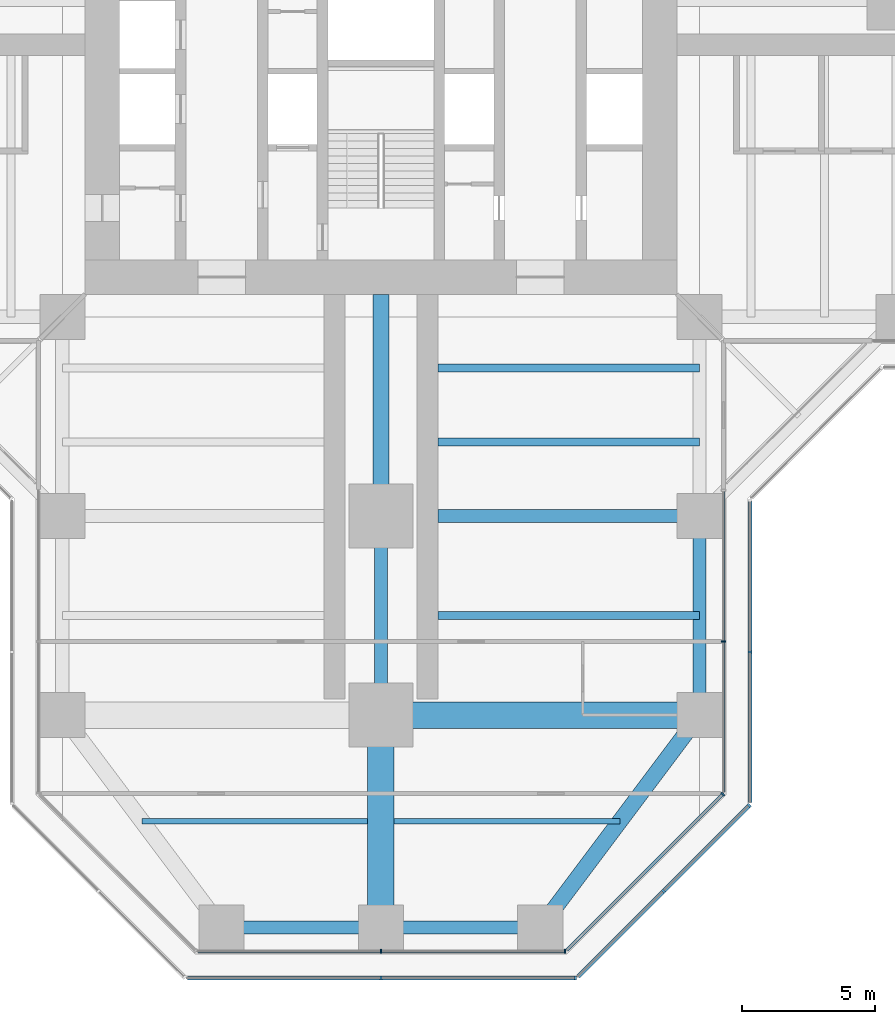
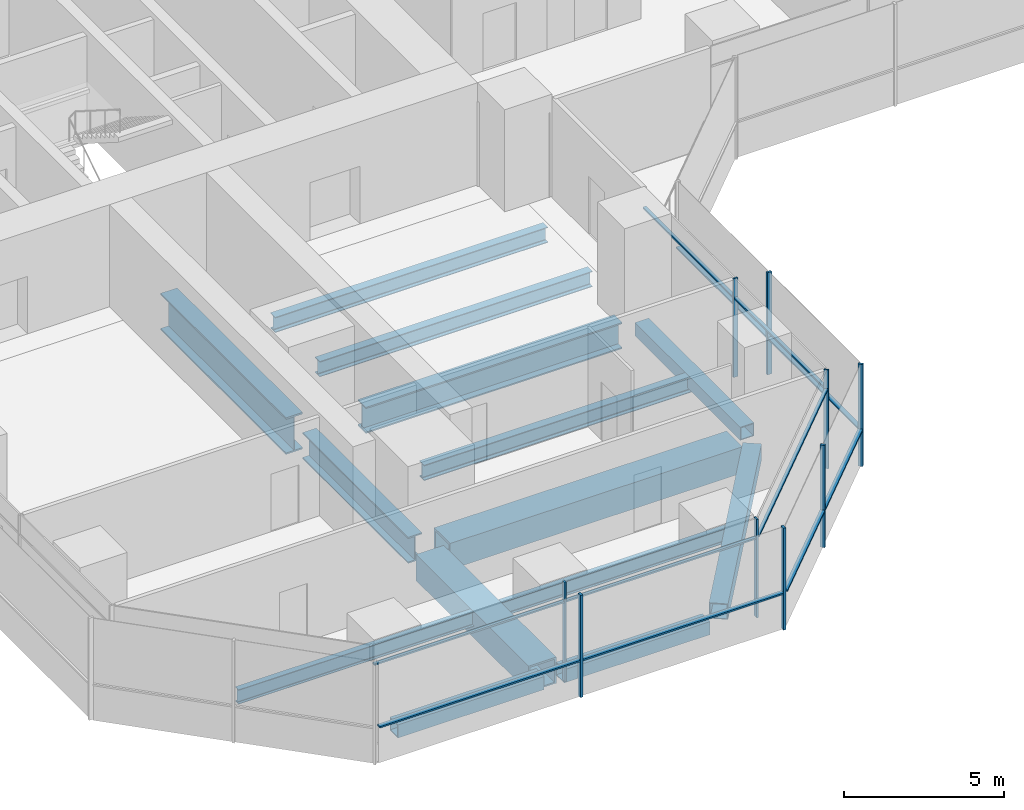
# One storey, part 5 of 22: 20 members, 14 beams, 6 elements without a shape of their own.
"""IFC4 building model written with IfcOpenShell, lengths in metres."""

import ifcopenshell
import ifcopenshell.guid

model = None  # the IFC model being written
_history = None  # IfcOwnerHistory: only IFC2X3 demands one
_inside = {}  # id of a spatial element -> (the spatial element, [elements in it])
_under = {}  # id of a project, library or spatial element -> (it, [spatial elements below it])
_declared = {}  # id of a project -> (the project, [libraries it declares])
_typed = {}  # id of a type object -> (the type object, [elements of that type])
_made_of = {}  # id of a material, layer set ... -> (it, [elements and type objects made of it])


def new_model(schema):
    """Start an empty IFC model of exactly this schema.

    Asked for "IFC4X3", IfcOpenShell would pick the latest addendum, in which some entities
    have other attributes; the version numbers below select the first issue.
    IFC2X3 requires an IfcOwnerHistory on every rooted entity: one is made here for all.
    """
    global model, _history
    if schema == "IFC4X3":
        model = ifcopenshell.file(schema_version=(4, 3, 0, 0))
    else:
        model = ifcopenshell.file(schema=schema)
    _inside.clear()
    _under.clear()
    _declared.clear()
    _typed.clear()
    _made_of.clear()
    _history = None
    if model.schema == "IFC2X3":
        org = make("IfcOrganization", Name="unknown")
        user = make(
            "IfcPersonAndOrganization",
            ThePerson=make("IfcPerson", FamilyName="unknown"),
            TheOrganization=org,
        )
        app = make(
            "IfcApplication",
            ApplicationDeveloper=org,
            Version="unknown",
            ApplicationFullName="unknown",
            ApplicationIdentifier="unknown",
        )
        _history = make(
            "IfcOwnerHistory",
            OwningUser=user,
            OwningApplication=app,
            ChangeAction="ADDED",
            CreationDate=0,
        )
    return model


def make(cls, **values):
    """One entity of the class cls with the attributes given. An attribute that is None is left unset."""
    return model.create_entity(
        cls, **{name: value for name, value in values.items() if value is not None}
    )


def rooted(cls, **values):
    """An entity with a GlobalId (a new one), such as an element, a storey or a relation."""
    return make(cls, GlobalId=ifcopenshell.guid.new(), OwnerHistory=_history, **values)


def si_unit(unit_type, name, prefix=None):
    """IfcSIUnit, for example si_unit("LENGTHUNIT", "METRE", prefix="MILLI")."""
    return make("IfcSIUnit", UnitType=unit_type, Prefix=prefix, Name=name)


def assignment(units):
    """IfcUnitAssignment: the units of a project."""
    return None if units is None else make("IfcUnitAssignment", Units=units)


def point(xyz):
    """IfcCartesianPoint."""
    return None if xyz is None else make("IfcCartesianPoint", Coordinates=xyz)


def direction(xyz):
    """IfcDirection."""
    return None if xyz is None else make("IfcDirection", DirectionRatios=xyz)


def frame(location, z_axis=None, x_axis=None):
    """IfcAxis2Placement3D, a coordinate frame: its origin and axes. An axis left out is left unset."""
    return make(
        "IfcAxis2Placement3D",
        Location=point(location),
        Axis=direction(z_axis),
        RefDirection=direction(x_axis),
    )


def frame_2d(location, x_axis=None):
    """IfcAxis2Placement2D, a coordinate frame in the plane: its origin and x axis."""
    return make(
        "IfcAxis2Placement2D", Location=point(location), RefDirection=direction(x_axis)
    )


def origin():
    """The frame at (0, 0, 0) with its axes left unset."""
    return frame((0.0, 0.0, 0.0))


def origin_2d():
    """The frame at (0, 0) in the plane with its x axis left unset."""
    return frame_2d((0.0, 0.0))


def place(relative_to, where):
    """IfcLocalPlacement: puts the frame where relative to a parent placement (None: the world)."""
    return make(
        "IfcLocalPlacement", PlacementRelTo=relative_to, RelativePlacement=where
    )


def context(
    kind, dimensions, precision=None, world=None, true_north=None, identifier=None
):
    """IfcGeometricRepresentationContext, for example the 3D "Model" context."""
    return make(
        "IfcGeometricRepresentationContext",
        ContextIdentifier=identifier,
        ContextType=kind,
        CoordinateSpaceDimension=dimensions,
        Precision=precision,
        WorldCoordinateSystem=world,
        TrueNorth=true_north,
    )


def subcontext(parent, identifier, kind, view, scale=None):
    """IfcGeometricRepresentationSubContext, for example "Body" below "Model"."""
    return make(
        "IfcGeometricRepresentationSubContext",
        ContextIdentifier=identifier,
        ContextType=kind,
        ParentContext=parent,
        TargetScale=scale,
        TargetView=view,
    )


def project(units=None, contexts=None):
    """IfcProject with its units and contexts."""
    return rooted(
        "IfcProject",
        Name="project",
        RepresentationContexts=contexts,
        UnitsInContext=assignment(units),
    )


def spatial(cls, under=None, at=None, **own):
    """A site, building, storey or space (cls), placed at a placement, below another one or the project."""
    s = rooted(cls, ObjectPlacement=at, **own)
    if under is not None:
        _under.setdefault(under.id(), (under, []))[1].append(s)
    return s


def profile(cls, at=None, kind="AREA", **sizes):
    """A parametric profile (cls). Its sizes go by their IFC names, for example OverallWidth=200.0."""
    return make(cls, ProfileType=kind, Position=at, **sizes)


def rectangle(**sizes):
    """IfcRectangleProfileDef."""
    return profile("IfcRectangleProfileDef", **sizes)


def hollow_rectangle(**sizes):
    """IfcRectangleHollowProfileDef."""
    return profile("IfcRectangleHollowProfileDef", **sizes)


def i_section(**sizes):
    """IfcIShapeProfileDef."""
    return profile("IfcIShapeProfileDef", **sizes)


def extrude(swept, where, along, depth):
    """IfcExtrudedAreaSolid: the profile swept, set in the frame where, extruded along a direction by depth."""
    return make(
        "IfcExtrudedAreaSolid",
        SweptArea=swept,
        Position=where,
        ExtrudedDirection=direction(along),
        Depth=depth,
    )


def shape(context_of_items, identifier, shape_type, items):
    """IfcShapeRepresentation: the items that make up one representation, for example the "Body"."""
    return make(
        "IfcShapeRepresentation",
        ContextOfItems=context_of_items,
        RepresentationIdentifier=identifier,
        RepresentationType=shape_type,
        Items=items,
    )


def material(Name=None, Category=None):
    """IfcMaterial."""
    return make("IfcMaterial", Name=Name, Category=Category)


def material_profile(
    of_material, cross_section, Name=None, Category=None, Priority=None
):
    """IfcMaterialProfile: a cross section and its material."""
    return make(
        "IfcMaterialProfile",
        Name=Name,
        Material=of_material,
        Profile=cross_section,
        Priority=Priority,
        Category=Category,
    )


def profile_set(profiles, Name=None, composite=None):
    """IfcMaterialProfileSet."""
    return make(
        "IfcMaterialProfileSet",
        Name=Name,
        MaterialProfiles=profiles,
        CompositeProfile=composite,
    )


def made_of(thing, what):
    """Note that an element or type object is made of a material, layer set ...; save() writes the relation."""
    if what is not None:
        _made_of.setdefault(what.id(), (what, []))[1].append(thing)
    return thing


def type_object(cls, material=None, **own):
    """A type object (cls), such as IfcWallType, which elements share."""
    return made_of(rooted(cls, **own), material)


def element(
    cls,
    number,
    at=None,
    inside=None,
    cuts=None,
    type_object=None,
    material=None,
    context=None,
    identifier="Body",
    shape_type=None,
    held_by="IfcProductDefinitionShape",
    body=None,
    shapes=None,
    **own,
):
    """One element of the class cls, such as IfcWall. Its Tag is "e" and its number.

    at: its placement. inside: the storey or other place that contains it. cuts: it is an
    opening in that element (IfcRelVoidsElement). A single representation is given by context,
    identifier, shape_type and body (its items); several are given by shapes. held_by: the class
    of the entity that holds the representations. save() writes the other relations.
    """
    e = rooted(cls, Tag="e%d" % number, ObjectPlacement=at, **own)
    if body is not None:
        shapes = [shape(context, identifier, shape_type, body)]
    if shapes is not None:
        e.Representation = make(held_by, Representations=shapes)
    if inside is not None:
        _inside.setdefault(inside.id(), (inside, []))[1].append(e)
    if cuts is not None:
        rooted(
            "IfcRelVoidsElement", RelatingBuildingElement=cuts, RelatedOpeningElement=e
        )
    if type_object is not None:
        _typed.setdefault(type_object.id(), (type_object, []))[1].append(e)
    return made_of(e, material)


def aggregate(whole, parts):
    """IfcRelAggregates: a whole, such as a stair, and the parts it consists of."""
    return rooted("IfcRelAggregates", RelatingObject=whole, RelatedObjects=parts)


def save(model, path):
    """Write the relations noted so far, then the file.

    IfcRelAggregates (storeys below a building ...), IfcRelContainedInSpatialStructure (elements
    in a storey), IfcRelDefinesByType, IfcRelAssociatesMaterial and IfcRelDeclares: one each for
    every whole, place, type object, material and project.
    """
    for whole, parts in _under.values():
        aggregate(whole, parts)
    for where, things in _inside.values():
        rooted(
            "IfcRelContainedInSpatialStructure",
            RelatedElements=things,
            RelatingStructure=where,
        )
    for kind, things in _typed.values():
        rooted("IfcRelDefinesByType", RelatedObjects=things, RelatingType=kind)
    for what, things in _made_of.values():
        rooted("IfcRelAssociatesMaterial", RelatedObjects=things, RelatingMaterial=what)
    for by, libraries in _declared.values():
        rooted("IfcRelDeclares", RelatingContext=by, RelatedDefinitions=libraries)
    model.write(path)


model = new_model("IFC4")

# Units and contexts
model_context = context("Model", 3, precision=1e-05, world=origin(), true_north=direction((0.0, 1.0)))
body_context = subcontext(model_context, "Body", "Model", "MODEL_VIEW")
ifc_project = project(units=[si_unit("LENGTHUNIT", "METRE"), si_unit("AREAUNIT", "SQUARE_METRE"), si_unit("VOLUMEUNIT", "CUBIC_METRE"), si_unit("PLANEANGLEUNIT", "RADIAN"), si_unit("MASSUNIT", "GRAM", prefix="KILO")], contexts=[model_context])

# Site, building, storey
site_placement = place(None, origin())
site = spatial("IfcSite", under=ifc_project, at=site_placement, CompositionType="ELEMENT")
building_placement = place(site_placement, origin())
building = spatial("IfcBuilding", under=site, at=building_placement, Name="Mizan Broadcast Tower", CompositionType="ELEMENT")
storey_placement = place(building_placement, frame((0.0, 0.0, 63.0)))
storey = spatial("IfcBuildingStorey", under=building, at=storey_placement, Name="L12", CompositionType="ELEMENT", Elevation=63.0)

# Beams
ifc_material_1 = material(Name="Steel S355", Category="steel")
ifc_material_profile_1 = material_profile(ifc_material_1, hollow_rectangle(XDim=0.5, YDim=0.5, WallThickness=0.030029296875, at=origin_2d()), Name="BOX 500x500x30")
ifc_profile_set_1 = profile_set([ifc_material_profile_1], Name="Steel S355")
beam_type_1 = type_object("IfcBeamType", Name="EDGE BEAM BOX 500x500x30", PredefinedType="SPANDREL", material=ifc_profile_set_1)
beam_1_placement = place(storey_placement, frame((-5.639892578125, -35.0, -0.3798828125), z_axis=(1.0, 0.0, 0.0), x_axis=(0.0, 1.0, 0.0)))
element("IfcBeam", 1, at=beam_1_placement, inside=storey, type_object=beam_type_1, Name="Edge beam BOX 500x500x30 L12 south arm", PredefinedType="SPANDREL", context=body_context, shape_type="SweptSolid", body=[
    extrude(hollow_rectangle(XDim=0.5, YDim=0.5, WallThickness=0.030029296875, at=origin_2d()), origin(), (0.0, 0.0, 1.0), 5.27978515625),
])
beam_2_placement = place(storey_placement, frame((12.0, -19.949951171875, -0.3798828125), z_axis=(0.0, -1.0, 0.0), x_axis=(1.0, 0.0, 0.0)))
element("IfcBeam", 2, at=beam_2_placement, inside=storey, type_object=beam_type_1, Name="Edge beam BOX 500x500x30 L12 south arm", PredefinedType="SPANDREL", context=body_context, shape_type="SweptSolid", body=[
    extrude(hollow_rectangle(XDim=0.5, YDim=0.5, WallThickness=0.030029296875, at=origin_2d()), origin(), (0.0, 0.0, 1.0), 6.60009765625),
])
beam_3_placement = place(storey_placement, frame((5.639892578125, -35.0, -0.3798828125), z_axis=(-1.0, 0.0, 0.0), x_axis=(0.0, -1.0, 0.0)))
element("IfcBeam", 3, at=beam_3_placement, inside=storey, type_object=beam_type_1, Name="Edge beam BOX 500x500x30 L12 south arm", PredefinedType="SPANDREL", context=body_context, shape_type="SweptSolid", body=[
    extrude(hollow_rectangle(XDim=0.5, YDim=0.5, WallThickness=0.030029296875, at=origin_2d()), origin(), (0.0, 0.0, 1.0), 5.27978515625),
])
ifc_material_2 = material(Name="Steel S355", Category="steel")
ifc_material_profile_2 = material_profile(ifc_material_2, hollow_rectangle(XDim=0.60009765625, YDim=0.60009765625, WallThickness=0.030029296875, at=origin_2d()), Name="BOX 600x600x30")
ifc_profile_set_2 = profile_set([ifc_material_profile_2], Name="Steel S355")
beam_type_2 = type_object("IfcBeamType", Name="EDGE BEAM BOX 600x600x30", PredefinedType="SPANDREL", material=ifc_profile_set_2)
beam_4_placement = place(storey_placement, frame((11.639892578125, -27.47998046875, -0.429931640625), z_axis=(-0.599982243973, -0.800013316712, 0.0), x_axis=(0.800013316712, -0.599982243973, 0.0)))
element("IfcBeam", 4, at=beam_4_placement, inside=storey, type_object=beam_type_2, Name="Edge beam BOX 600x600x30 L12 south arm", PredefinedType="SPANDREL", context=body_context, shape_type="SweptSolid", body=[
    extrude(hollow_rectangle(XDim=0.60009765625, YDim=0.60009765625, WallThickness=0.030029296875, at=origin_2d()), origin(), (0.0, 0.0, 1.0), 8.7998046875),
])
ifc_material_3 = material(Name="Steel S460", Category="steel")
ifc_material_profile_3 = material_profile(ifc_material_3, hollow_rectangle(XDim=1.0, YDim=1.0, WallThickness=0.06005859375, at=origin_2d()), Name="BOX 1000x1000x60")
ifc_profile_set_3 = profile_set([ifc_material_profile_3], Name="Steel S460")
beam_type_3 = type_object("IfcBeamType", Name="GIRDER BOX 1000x1000x60", PredefinedType="BEAM", material=ifc_profile_set_3)
beam_5_placement = place(storey_placement, frame((0.0, -27.47998046875, -0.6298828125), z_axis=(0.0, -1.0, 0.0), x_axis=(1.0, 0.0, 0.0)))
element("IfcBeam", 5, at=beam_5_placement, inside=storey, type_object=beam_type_3, Name="Girder BOX 1000x1000x60 L12 south arm", PredefinedType="BEAM", context=body_context, shape_type="SweptSolid", body=[
    extrude(hollow_rectangle(XDim=1.0, YDim=1.0, WallThickness=0.06005859375, at=origin_2d()), origin(), (0.0, 0.0, 1.0), 7.0400390625),
])
ifc_material_4 = material(Name="Steel S460", Category="steel")
ifc_material_profile_4 = material_profile(ifc_material_4, hollow_rectangle(XDim=1.0, YDim=1.0, WallThickness=0.080078125, at=origin_2d()), Name="BOX 1000x1000x80")
ifc_profile_set_4 = profile_set([ifc_material_profile_4], Name="Steel S460")
beam_type_4 = type_object("IfcBeamType", Name="GIRDER BOX 1000x1000x80", PredefinedType="BEAM", material=ifc_profile_set_4)
beam_6_placement = place(storey_placement, frame((11.280029296875, -27.0, -0.6298828125), z_axis=(-1.0, 0.0, 0.0), x_axis=(0.0, -1.0, 0.0)))
element("IfcBeam", 6, at=beam_6_placement, inside=storey, type_object=beam_type_4, Name="Girder BOX 1000x1000x80 L12 south arm", PredefinedType="BEAM", context=body_context, shape_type="SweptSolid", body=[
    extrude(hollow_rectangle(XDim=1.0, YDim=1.0, WallThickness=0.080078125, at=origin_2d()), origin(), (0.0, 0.0, 1.0), 10.56005859375),
])
ifc_material_5 = material(Name="Steel S460", Category="steel")
ifc_material_profile_5 = material_profile(ifc_material_5, i_section(OverallWidth=0.5, OverallDepth=1.0, WebThickness=0.02490234375, FlangeThickness=0.050048828125, at=origin_2d()), Name="WPG 1000x500")
ifc_profile_set_5 = profile_set([ifc_material_profile_5], Name="Steel S460")
beam_type_5 = type_object("IfcBeamType", Name="GIRDER WPG 1000x500", PredefinedType="BEAM", material=ifc_profile_set_5)
beam_7_placement = place(storey_placement, frame((0.0, -19.949951171875, -0.6298828125), z_axis=(0.0, -1.0, 0.0), x_axis=(1.0, 0.0, 0.0)))
element("IfcBeam", 7, at=beam_7_placement, inside=storey, type_object=beam_type_5, Name="Girder WPG 1000x500 L12 south arm", PredefinedType="BEAM", context=body_context, shape_type="SweptSolid", body=[
    extrude(i_section(OverallWidth=0.5, OverallDepth=1.0, WebThickness=0.02490234375, FlangeThickness=0.050048828125, at=origin_2d()), origin(), (0.0, 0.0, 1.0), 6.60009765625),
])
beam_8_placement = place(storey_placement, frame((11.408935546875, -19.5, -0.6298828125), z_axis=(-1.0, 0.0, 0.0), x_axis=(0.0, -1.0, 0.0)))
element("IfcBeam", 8, at=beam_8_placement, inside=storey, type_object=beam_type_5, Name="Girder WPG 1000x500 L12 south arm", PredefinedType="BEAM", context=body_context, shape_type="SweptSolid", body=[
    extrude(i_section(OverallWidth=0.5, OverallDepth=1.0, WebThickness=0.02490234375, FlangeThickness=0.050048828125, at=origin_2d()), origin(), (0.0, 0.0, 1.0), 9.259033203125),
])
ifc_material_6 = material(Name="Steel S460", Category="steel")
ifc_material_profile_6 = material_profile(ifc_material_6, i_section(OverallWidth=0.60009765625, OverallDepth=1.39990234375, WebThickness=0.02490234375, FlangeThickness=0.06005859375, at=origin_2d()), Name="WPG 1400x600")
ifc_profile_set_6 = profile_set([ifc_material_profile_6], Name="Steel S460")
beam_type_6 = type_object("IfcBeamType", Name="GIRDER WPG 1400x600", PredefinedType="BEAM", material=ifc_profile_set_6)
beam_9_placement = place(storey_placement, frame((0.0, -11.14990234375, -0.830078125), z_axis=(0.0, -1.0, 0.0), x_axis=(1.0, 0.0, 0.0)))
element("IfcBeam", 9, at=beam_9_placement, inside=storey, type_object=beam_type_6, Name="Girder WPG 1400x600 L12 south arm", PredefinedType="BEAM", context=body_context, shape_type="SweptSolid", body=[
    extrude(i_section(OverallWidth=0.60009765625, OverallDepth=1.39990234375, WebThickness=0.02490234375, FlangeThickness=0.06005859375, at=origin_2d()), origin(), (0.0, 0.0, 1.0), 7.84912109375),
])

# Curtain wall, members
ifc_material_7 = material(Name="Aluminium framed glazing", Category="aluminium")
curtain_wall_type_1 = type_object("IfcCurtainWallType", Name="INNER SKIN LOW ZONE", PredefinedType="USERDEFINED", material=ifc_material_7)
curtain_wall_1_placement = place(storey_placement, origin())
curtain_wall_1 = element("IfcCurtainWall", 10, at=curtain_wall_1_placement, inside=storey, type_object=curtain_wall_type_1, Name="Inner skin low zone L12 S end", ObjectType="INNER SKIN LOW ZONE", PredefinedType="USERDEFINED")
ifc_material_8 = material(Name="Aluminium, pale anodised", Category="aluminium")
ifc_material_profile_7 = material_profile(ifc_material_8, rectangle(XDim=0.159912109375, YDim=0.06005859375, at=origin_2d()), Name="MULLION 160x60")
ifc_profile_set_7 = profile_set([ifc_material_profile_7], Name="Aluminium, pale anodised")
member_type_1 = type_object("IfcMemberType", Name="INNER SKIN MULLION 60x160", PredefinedType="MULLION", material=ifc_profile_set_7)
member_1_placement = place(storey_placement, frame((0.0, -35.89990234375, 0.0), z_axis=(0.0, 0.0, 1.0), x_axis=(0.0, 1.0, 0.0)))
member_1 = element("IfcMember", 11, at=member_1_placement, type_object=member_type_1, Name="Inner skin low zone L12 S end mullion 2", PredefinedType="MULLION", context=body_context, shape_type="SweptSolid", body=[
    extrude(rectangle(XDim=0.159912109375, YDim=0.06005859375, at=origin_2d()), origin(), (0.0, 0.0, 1.0), 3.77001953125),
])
member_2_placement = place(storey_placement, frame((6.928466796875, -35.89990234375, 0.0), z_axis=(0.0, 0.0, 1.0), x_axis=(0.0, 1.0, 0.0)))
member_2 = element("IfcMember", 12, at=member_2_placement, type_object=member_type_1, Name="Inner skin low zone L12 S end mullion 3", PredefinedType="MULLION", context=body_context, shape_type="SweptSolid", body=[
    extrude(rectangle(XDim=0.159912109375, YDim=0.06005859375, at=origin_2d()), origin(), (0.0, 0.0, 1.0), 3.77001953125),
])

# Curtain wall, member
curtain_wall_2_placement = place(storey_placement, origin())
curtain_wall_2 = element("IfcCurtainWall", 13, at=curtain_wall_2_placement, inside=storey, type_object=curtain_wall_type_1, Name="Inner skin low zone L12 S chamfer", ObjectType="INNER SKIN LOW ZONE", PredefinedType="USERDEFINED")
member_3_placement = place(storey_placement, frame((12.87890625, -29.979736328125, 0.0), z_axis=(0.0, 0.0, 1.0), x_axis=(-0.707106781187, 0.707106781187, 0.0)))
member_3 = element("IfcMember", 14, at=member_3_placement, type_object=member_type_1, Name="Inner skin low zone L12 S chamfer mullion 2", PredefinedType="MULLION", context=body_context, shape_type="SweptSolid", body=[
    extrude(rectangle(XDim=0.159912109375, YDim=0.06005859375, at=origin_2d()), origin(), (0.0, 0.0, 1.0), 3.77001953125),
])

curtain_wall_3_placement = place(storey_placement, origin())
curtain_wall_3 = element("IfcCurtainWall", 15, at=curtain_wall_3_placement, inside=storey, type_object=curtain_wall_type_1, Name="Inner skin low zone L12 S side", ObjectType="INNER SKIN LOW ZONE", PredefinedType="USERDEFINED")
member_4_placement = place(storey_placement, frame((12.89990234375, -24.229248046875, 0.0), z_axis=(0.0, 0.0, 1.0), x_axis=(-1.0, 0.0, 0.0)))
member_4 = element("IfcMember", 16, at=member_4_placement, type_object=member_type_1, Name="Inner skin low zone L12 S side mullion 2", PredefinedType="MULLION", context=body_context, shape_type="SweptSolid", body=[
    extrude(rectangle(XDim=0.159912109375, YDim=0.06005859375, at=origin_2d()), origin(), (0.0, 0.0, 1.0), 3.77001953125),
])

# Member
ifc_material_9 = material(Name="Aluminium, pale anodised", Category="aluminium")
ifc_material_profile_8 = material_profile(ifc_material_9, rectangle(XDim=0.1201171875, YDim=0.06005859375, at=origin_2d()), Name="TRANSOM 120x60")
ifc_profile_set_8 = profile_set([ifc_material_profile_8], Name="Aluminium, pale anodised")
member_type_2 = type_object("IfcMemberType", Name="INNER SKIN TRANSOM 60x120", PredefinedType="USERDEFINED", material=ifc_profile_set_8)
member_5_placement = place(storey_placement, frame((-6.898681640625, -35.89990234375, 3.030029296875), z_axis=(1.0, 0.0, 0.0), x_axis=(0.0, 1.0, 0.0)))
member_5 = element("IfcMember", 17, at=member_5_placement, type_object=member_type_2, Name="Inner skin low zone L12 S end transom 1.1", ObjectType="TRANSOM", PredefinedType="USERDEFINED", context=body_context, shape_type="SweptSolid", body=[
    extrude(rectangle(XDim=0.1201171875, YDim=0.06005859375, at=origin_2d()), origin(), (0.0, 0.0, 1.0), 6.86865234375),
])

member_6_placement = place(storey_placement, frame((0.030029296875, -35.89990234375, 3.030029296875), z_axis=(1.0, 0.0, 0.0), x_axis=(0.0, 1.0, 0.0)))
member_6 = element("IfcMember", 18, at=member_6_placement, type_object=member_type_2, Name="Inner skin low zone L12 S end transom 2.1", ObjectType="TRANSOM", PredefinedType="USERDEFINED", context=body_context, shape_type="SweptSolid", body=[
    extrude(rectangle(XDim=0.1201171875, YDim=0.06005859375, at=origin_2d()), origin(), (0.0, 0.0, 1.0), 6.86865234375),
])

aggregate(curtain_wall_1, [member_1, member_2, member_5, member_6])

member_7_placement = place(storey_placement, frame((7.0009765625, -35.857666015625, 3.030029296875), z_axis=(0.707106781187, 0.707106781187, 0.0), x_axis=(-0.707106781187, 0.707106781187, 0.0)))
member_7 = element("IfcMember", 19, at=member_7_placement, type_object=member_type_2, Name="Inner skin low zone L12 S chamfer transom 1.1", ObjectType="TRANSOM", PredefinedType="USERDEFINED", context=body_context, shape_type="SweptSolid", body=[
    extrude(rectangle(XDim=0.1201171875, YDim=0.06005859375, at=origin_2d()), origin(), (0.0, 0.0, 1.0), 8.28271484375),
])

aggregate(curtain_wall_2, [member_3, member_7])

member_8_placement = place(storey_placement, frame((12.89990234375, -29.898681640625, 3.030029296875), z_axis=(0.0, 1.0, 0.0), x_axis=(-1.0, 0.0, 0.0)))
member_8 = element("IfcMember", 20, at=member_8_placement, type_object=member_type_2, Name="Inner skin low zone L12 S side transom 1.1", ObjectType="TRANSOM", PredefinedType="USERDEFINED", context=body_context, shape_type="SweptSolid", body=[
    extrude(rectangle(XDim=0.1201171875, YDim=0.06005859375, at=origin_2d()), origin(), (0.0, 0.0, 1.0), 5.639404296875),
])

member_9_placement = place(storey_placement, frame((12.89990234375, -24.19921875, 3.030029296875), z_axis=(0.0, 1.0, 0.0), x_axis=(-1.0, 0.0, 0.0)))
member_9 = element("IfcMember", 21, at=member_9_placement, type_object=member_type_2, Name="Inner skin low zone L12 S side transom 2.1", ObjectType="TRANSOM", PredefinedType="USERDEFINED", context=body_context, shape_type="SweptSolid", body=[
    extrude(rectangle(XDim=0.1201171875, YDim=0.06005859375, at=origin_2d()), origin(), (0.0, 0.0, 1.0), 5.63916015625),
])

aggregate(curtain_wall_3, [member_4, member_8, member_9])

# Curtain wall, members
ifc_material_10 = material(Name="Aluminium framed glazing", Category="aluminium")
curtain_wall_type_2 = type_object("IfcCurtainWallType", Name="OUTER SKIN", PredefinedType="USERDEFINED", material=ifc_material_10)
curtain_wall_4_placement = place(storey_placement, origin())
curtain_wall_4 = element("IfcCurtainWall", 22, at=curtain_wall_4_placement, inside=storey, type_object=curtain_wall_type_2, Name="Outer skin L12 S end", ObjectType="OUTER SKIN", PredefinedType="USERDEFINED")
ifc_material_11 = material(Name="Aluminium, pale anodised", Category="aluminium")
ifc_material_profile_9 = material_profile(ifc_material_11, rectangle(XDim=0.159912109375, YDim=0.080078125, at=origin_2d()), Name="MULLION 160x80")
ifc_profile_set_9 = profile_set([ifc_material_profile_9], Name="Aluminium, pale anodised")
member_type_3 = type_object("IfcMemberType", Name="OUTER SKIN MULLION 80x160", PredefinedType="MULLION", material=ifc_profile_set_9)
member_10_placement = place(storey_placement, frame((0.0, -36.89990234375, 0.0), z_axis=(0.0, 0.0, 1.0), x_axis=(0.0, 1.0, 0.0)))
member_10 = element("IfcMember", 23, at=member_10_placement, type_object=member_type_3, Name="Outer skin L12 S end mullion 2", PredefinedType="MULLION", context=body_context, shape_type="SweptSolid", body=[
    extrude(rectangle(XDim=0.159912109375, YDim=0.080078125, at=origin_2d()), origin(), (0.0, 0.0, 1.0), 3.89990234375),
])
member_11_placement = place(storey_placement, frame((7.332763671875, -36.89990234375, 0.0), z_axis=(0.0, 0.0, 1.0), x_axis=(0.0, 1.0, 0.0)))
member_11 = element("IfcMember", 24, at=member_11_placement, type_object=member_type_3, Name="Outer skin L12 S end mullion 3", PredefinedType="MULLION", context=body_context, shape_type="SweptSolid", body=[
    extrude(rectangle(XDim=0.159912109375, YDim=0.080078125, at=origin_2d()), origin(), (0.0, 0.0, 1.0), 3.89990234375),
])

curtain_wall_5_placement = place(storey_placement, origin())
curtain_wall_5 = element("IfcCurtainWall", 25, at=curtain_wall_5_placement, inside=storey, type_object=curtain_wall_type_2, Name="Outer skin L12 S chamfer", ObjectType="OUTER SKIN", PredefinedType="USERDEFINED")
member_12_placement = place(storey_placement, frame((10.636474609375, -33.636474609375, 0.0), z_axis=(0.0, 0.0, 1.0), x_axis=(-0.707106781187, 0.707106781187, 0.0)))
member_12 = element("IfcMember", 26, at=member_12_placement, type_object=member_type_3, Name="Outer skin L12 S chamfer mullion 2", PredefinedType="MULLION", context=body_context, shape_type="SweptSolid", body=[
    extrude(rectangle(XDim=0.159912109375, YDim=0.080078125, at=origin_2d()), origin(), (0.0, 0.0, 1.0), 3.89990234375),
])
member_13_placement = place(storey_placement, frame((13.871826171875, -30.401123046875, 0.0), z_axis=(0.0, 0.0, 1.0), x_axis=(-0.707106781187, 0.707106781187, 0.0)))
member_13 = element("IfcMember", 27, at=member_13_placement, type_object=member_type_3, Name="Outer skin L12 S chamfer mullion 3", PredefinedType="MULLION", context=body_context, shape_type="SweptSolid", body=[
    extrude(rectangle(XDim=0.159912109375, YDim=0.080078125, at=origin_2d()), origin(), (0.0, 0.0, 1.0), 3.89990234375),
])

# Curtain wall, member
curtain_wall_6_placement = place(storey_placement, origin())
curtain_wall_6 = element("IfcCurtainWall", 28, at=curtain_wall_6_placement, inside=storey, type_object=curtain_wall_type_2, Name="Outer skin L12 S side", ObjectType="OUTER SKIN", PredefinedType="USERDEFINED")
member_14_placement = place(storey_placement, frame((13.89990234375, -24.622802734375, 0.0), z_axis=(0.0, 0.0, 1.0), x_axis=(-1.0, 0.0, 0.0)))
member_14 = element("IfcMember", 29, at=member_14_placement, type_object=member_type_3, Name="Outer skin L12 S side mullion 2", PredefinedType="MULLION", context=body_context, shape_type="SweptSolid", body=[
    extrude(rectangle(XDim=0.159912109375, YDim=0.080078125, at=origin_2d()), origin(), (0.0, 0.0, 1.0), 3.89990234375),
])

# Member
ifc_material_12 = material(Name="Aluminium, pale anodised", Category="aluminium")
ifc_material_profile_10 = material_profile(ifc_material_12, rectangle(XDim=0.159912109375, YDim=0.06005859375, at=origin_2d()), Name="TRANSOM 160x60")
ifc_profile_set_10 = profile_set([ifc_material_profile_10], Name="Aluminium, pale anodised")
member_type_4 = type_object("IfcMemberType", Name="OUTER SKIN TRANSOM 60x160", PredefinedType="USERDEFINED", material=ifc_profile_set_10)
member_15_placement = place(storey_placement, frame((-7.292724609375, -36.89990234375, 1.39990234375), z_axis=(1.0, 0.0, 0.0), x_axis=(0.0, 1.0, 0.0)))
member_15 = element("IfcMember", 30, at=member_15_placement, type_object=member_type_4, Name="Outer skin L12 S end transom 1.1", ObjectType="TRANSOM", PredefinedType="USERDEFINED", context=body_context, shape_type="SweptSolid", body=[
    extrude(rectangle(XDim=0.159912109375, YDim=0.06005859375, at=origin_2d()), origin(), (0.0, 0.0, 1.0), 7.252685546875),
])

member_16_placement = place(storey_placement, frame((0.0400390625, -36.89990234375, 1.39990234375), z_axis=(1.0, 0.0, 0.0), x_axis=(0.0, 1.0, 0.0)))
member_16 = element("IfcMember", 31, at=member_16_placement, type_object=member_type_4, Name="Outer skin L12 S end transom 2.1", ObjectType="TRANSOM", PredefinedType="USERDEFINED", context=body_context, shape_type="SweptSolid", body=[
    extrude(rectangle(XDim=0.159912109375, YDim=0.06005859375, at=origin_2d()), origin(), (0.0, 0.0, 1.0), 7.252685546875),
])

aggregate(curtain_wall_4, [member_10, member_11, member_15, member_16])

member_17_placement = place(storey_placement, frame((7.429443359375, -36.843505859375, 1.39990234375), z_axis=(0.707106781187, 0.707106781187, 0.0), x_axis=(-0.707106781187, 0.707106781187, 0.0)))
member_17 = element("IfcMember", 32, at=member_17_placement, type_object=member_type_4, Name="Outer skin L12 S chamfer transom 1.1", ObjectType="TRANSOM", PredefinedType="USERDEFINED", context=body_context, shape_type="SweptSolid", body=[
    extrude(rectangle(XDim=0.159912109375, YDim=0.06005859375, at=origin_2d()), origin(), (0.0, 0.0, 1.0), 4.495361328125),
])

member_18_placement = place(storey_placement, frame((10.664794921875, -33.608154296875, 1.39990234375), z_axis=(0.707106781187, 0.707106781187, 0.0), x_axis=(-0.707106781187, 0.707106781187, 0.0)))
member_18 = element("IfcMember", 33, at=member_18_placement, type_object=member_type_4, Name="Outer skin L12 S chamfer transom 2.1", ObjectType="TRANSOM", PredefinedType="USERDEFINED", context=body_context, shape_type="SweptSolid", body=[
    extrude(rectangle(XDim=0.159912109375, YDim=0.06005859375, at=origin_2d()), origin(), (0.0, 0.0, 1.0), 4.495361328125),
])

aggregate(curtain_wall_5, [member_12, member_13, member_17, member_18])

member_19_placement = place(storey_placement, frame((13.89990234375, -30.292724609375, 1.39990234375), z_axis=(0.0, 1.0, 0.0), x_axis=(-1.0, 0.0, 0.0)))
member_19 = element("IfcMember", 34, at=member_19_placement, type_object=member_type_4, Name="Outer skin L12 S side transom 1.1", ObjectType="TRANSOM", PredefinedType="USERDEFINED", context=body_context, shape_type="SweptSolid", body=[
    extrude(rectangle(XDim=0.159912109375, YDim=0.06005859375, at=origin_2d()), origin(), (0.0, 0.0, 1.0), 5.6298828125),
])

member_20_placement = place(storey_placement, frame((13.89990234375, -24.582763671875, 1.39990234375), z_axis=(0.0, 1.0, 0.0), x_axis=(-1.0, 0.0, 0.0)))
member_20 = element("IfcMember", 35, at=member_20_placement, type_object=member_type_4, Name="Outer skin L12 S side transom 2.1", ObjectType="TRANSOM", PredefinedType="USERDEFINED", context=body_context, shape_type="SweptSolid", body=[
    extrude(rectangle(XDim=0.159912109375, YDim=0.06005859375, at=origin_2d()), origin(), (0.0, 0.0, 1.0), 5.6298828125),
])

aggregate(curtain_wall_6, [member_14, member_19, member_20])

# Beams
ifc_material_13 = material(Name="Steel S355", Category="steel")
ifc_material_profile_11 = material_profile(ifc_material_13, i_section(OverallWidth=0.300048828125, OverallDepth=0.590087890625, WebThickness=0.012939453125, FlangeThickness=0.02490234375, FilletRadius=0.027099609375, at=origin_2d()), Name="HEA 600")
ifc_profile_set_11 = profile_set([ifc_material_profile_11], Name="Steel S355")
beam_type_7 = type_object("IfcBeamType", Name="SECONDARY BEAM HEA 600", PredefinedType="JOIST", material=ifc_profile_set_11)
for number, where, z_axis, x_axis, name in (
    (36, (12.0, -13.933349609375, -0.425048828125), (-1.0, 0.0, 0.0), (0.0, -1.0, 0.0), "Secondary beam HEA 600 L12 south arm"),
    (37, (12.0, -16.716552734375, -0.425048828125), (-1.0, 0.0, 0.0), (0.0, -1.0, 0.0), "Secondary beam HEA 600 L12 south arm"),
    (38, (12.0, -23.25, -0.425048828125), (-1.0, 0.0, 0.0), (0.0, -1.0, 0.0), "Secondary beam HEA 600 L12 south arm"),
):
    element("IfcBeam", number, at=place(storey_placement, frame(where, z_axis=z_axis, x_axis=x_axis)), inside=storey, type_object=beam_type_7, Name=name, PredefinedType="JOIST", context=body_context, shape_type="SweptSolid", body=[
        extrude(i_section(OverallWidth=0.300048828125, OverallDepth=0.590087890625, WebThickness=0.012939453125, FlangeThickness=0.02490234375, FilletRadius=0.027099609375, at=origin_2d()), origin(), (0.0, 0.0, 1.0), 9.85009765625),
    ])
ifc_material_14 = material(Name="Steel S355", Category="steel")
ifc_material_profile_12 = material_profile(ifc_material_14, i_section(OverallWidth=0.2099609375, OverallDepth=0.550048828125, WebThickness=0.010986328125, FlangeThickness=0.01708984375, FilletRadius=0.02392578125, at=origin_2d()), Name="IPE 550")
ifc_profile_set_12 = profile_set([ifc_material_profile_12], Name="Steel S355")
beam_type_8 = type_object("IfcBeamType", Name="SECONDARY BEAM IPE 550", PredefinedType="JOIST", material=ifc_profile_set_12)
for number, where, z_axis, x_axis, name in (
    (39, (-9.0, -31.0, -0.405029296875), (1.0, 0.0, 0.0), (0.0, 1.0, 0.0), "Secondary beam IPE 550 L12 south arm"),
    (40, (9.0, -31.0, -0.405029296875), (-1.0, 0.0, 0.0), (0.0, -1.0, 0.0), "Secondary beam IPE 550 L12 south arm"),
):
    element("IfcBeam", number, at=place(storey_placement, frame(where, z_axis=z_axis, x_axis=x_axis)), inside=storey, type_object=beam_type_8, Name=name, PredefinedType="JOIST", context=body_context, shape_type="SweptSolid", body=[
        extrude(i_section(OverallWidth=0.2099609375, OverallDepth=0.550048828125, WebThickness=0.010986328125, FlangeThickness=0.01708984375, FilletRadius=0.02392578125, at=origin_2d()), origin(), (0.0, 0.0, 1.0), 8.5),
    ])

save(model, "model.ifc")
